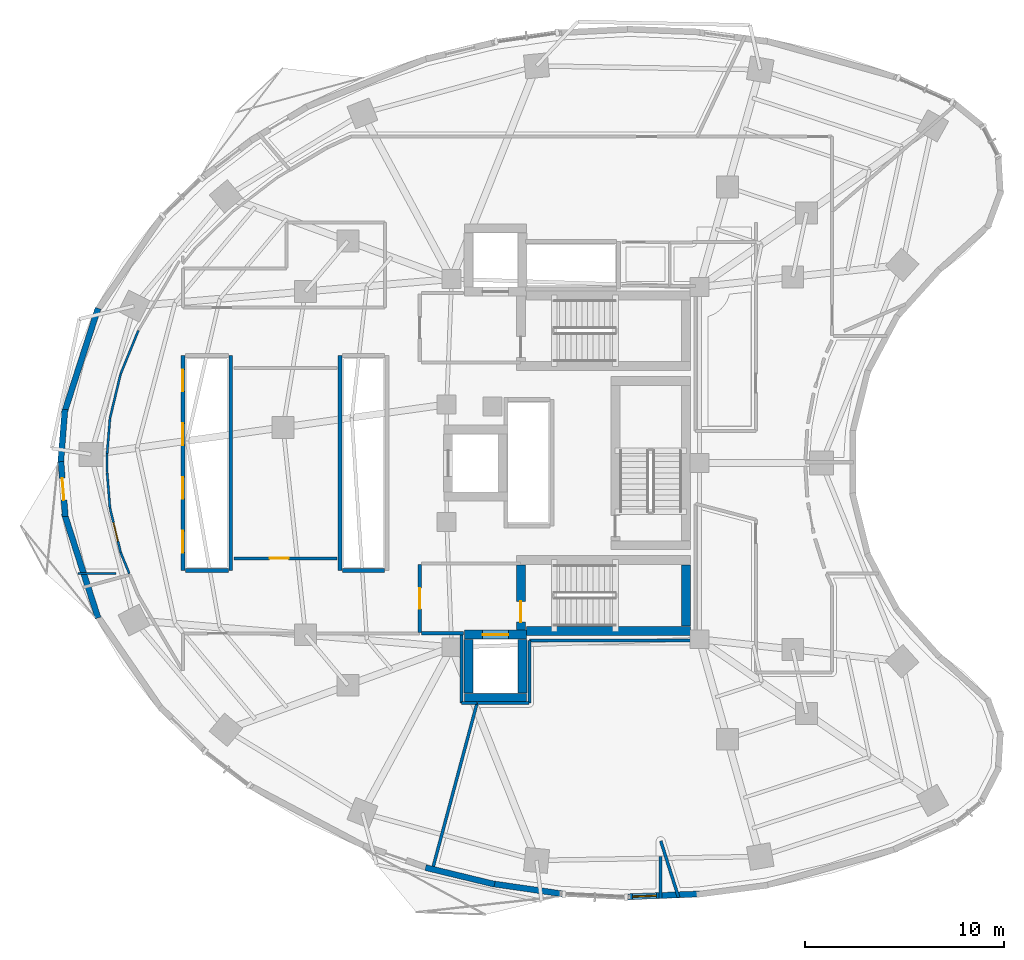
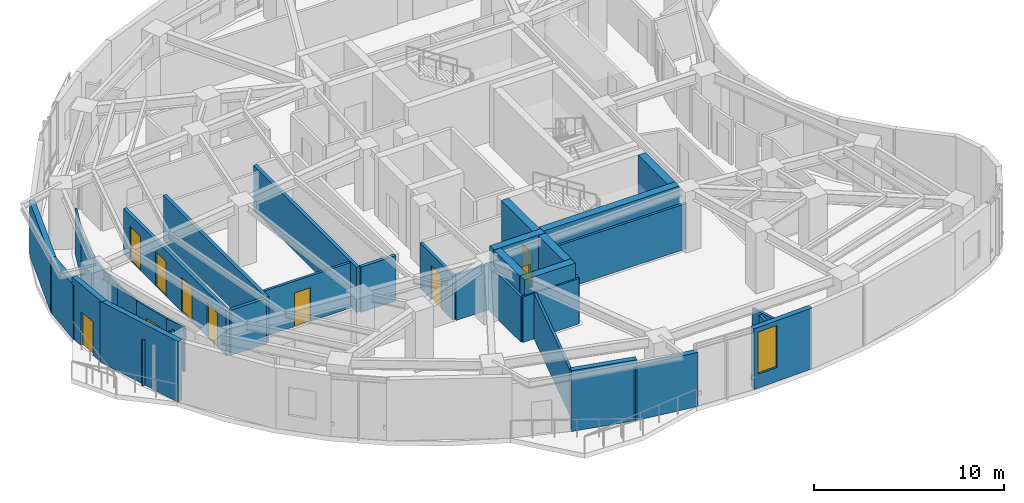
# One storey, part 7 of 13: 38 walls, 10 doors, 1 window, 11 openings.
"""IFC4 building model written with IfcOpenShell, lengths in metres."""

from ifc_helpers import new_model, si_unit, direction, frame, frame_2d, origin, place, context, subcontext, project, spatial, rectangle, extrude, material, layer, layer_set, type_object, element, fill, save


model = new_model("IFC4")

# Units and contexts
model_context = context("Model", 3, precision=1e-05, world=origin(), true_north=direction((0.0, 1.0)))
body_context = subcontext(model_context, "Body", "Model", "MODEL_VIEW")
ifc_project = project(units=[si_unit("LENGTHUNIT", "METRE"), si_unit("AREAUNIT", "SQUARE_METRE"), si_unit("VOLUMEUNIT", "CUBIC_METRE"), si_unit("PLANEANGLEUNIT", "RADIAN"), si_unit("MASSUNIT", "GRAM", prefix="KILO")], contexts=[model_context])

# Site, building, storey
site_placement = place(None, origin())
site = spatial("IfcSite", under=ifc_project, at=site_placement, CompositionType="ELEMENT")
building_placement = place(site_placement, origin())
building = spatial("IfcBuilding", under=site, at=building_placement, Name="Korentha Bioscience Tower", CompositionType="ELEMENT")
storey_placement = place(building_placement, frame((0.0, 0.0, 106.800048828125)))
storey = spatial("IfcBuildingStorey", under=building, at=storey_placement, Name="L24", CompositionType="ELEMENT", Elevation=106.800048828125)

# Wall, opening, door
ifc_material_1 = material(Name="Double-Stud Acoustic Gypsum", Category="gypsum")
ifc_layer_1 = layer(ifc_material_1, 0.14990234375, Name="Double-Stud Acoustic Gypsum")
ifc_layer_set_1 = layer_set([ifc_layer_1], Name="Double-Stud Acoustic Gypsum (IW-L150)")
wall_type_1 = type_object("IfcWallType", Name="Acoustic Laboratory Partition Wall 150", PredefinedType="PARTITIONING", material=ifc_layer_set_1)
wall_1_placement = place(storey_placement, frame((19.340087890625, 22.2099609375, 0.0), z_axis=(0.0, 0.0, 1.0), x_axis=(-1.0, 0.0, 0.0)))
wall_1 = element("IfcWall", 1, at=wall_1_placement, inside=storey, type_object=wall_type_1, Name="L24 Peer-Review Conference Room 11 Entrance Wall", PredefinedType="PARTITIONING", context=body_context, shape_type="SweptSolid", body=[
    extrude(rectangle(XDim=5.18017578125, YDim=0.14990234375, at=frame_2d((2.590087890625, 0.0))), origin(), (0.0, 0.0, 1.0), 2.909912109375),
])
opening_1_placement = place(wall_1_placement, frame((2.430908203125, 0.0, 0.0)))
opening_1 = element("IfcOpeningElement", 2, at=opening_1_placement, cuts=wall_1, Name="Opening ID-10R", PredefinedType="OPENING", context=body_context, shape_type="SweptSolid", body=[
    extrude(rectangle(XDim=0.949951171875, YDim=2.14990234375, at=frame_2d((0.47509765625, 1.074951171875))), frame((0.0, 0.08984375, 0.0), z_axis=(0.0, -1.0, 0.0), x_axis=(1.0, 0.0, 0.0)), (0.0, 0.0, 1.0), 0.1796875),
])
ifc_material_2 = material(Name="Phenolic Laminate Timber Core", Category="wood")
door_type_1 = type_object("IfcDoorType", Name="Laboratory Single Leaf Door 950x2150 Right", OperationType="SINGLE_SWING_RIGHT", PredefinedType="DOOR", material=ifc_material_2)
door_1_placement = place(opening_1_placement, origin())
door_1 = element("IfcDoor", 3, at=door_1_placement, inside=storey, type_object=door_type_1, Name="L24 Peer-Review Conference Room 11 Door", OperationType="SINGLE_SWING_RIGHT", OverallHeight=2.14990234375, OverallWidth=0.949951171875, PredefinedType="DOOR", context=body_context, shape_type="SweptSolid", body=[
    extrude(rectangle(XDim=0.949951171875, YDim=2.14990234375, at=frame_2d((0.47509765625, 1.074951171875))), frame((0.0, 0.02490234375, 0.0), z_axis=(0.0, -1.0, 0.0), x_axis=(1.0, 0.0, 0.0)), (0.0, 0.0, 1.0), 0.050048828125),
])
fill(opening_1, door_1)

# Walls
wall_2_placement = place(storey_placement, frame((25.60009765625, 18.43603515625, 0.0), z_axis=(0.0, 0.0, 1.0), x_axis=(0.0, -1.0, 0.0)))
element("IfcWall", 4, at=wall_2_placement, inside=storey, type_object=wall_type_1, Name="L24 Interior Partition 019", PredefinedType="PARTITIONING", context=body_context, shape_type="SweptSolid", body=[
    extrude(rectangle(XDim=3.48193359375, YDim=0.14990234375, at=frame_2d((1.740966796875, 0.0))), origin(), (0.0, 0.0, 1.0), 2.909912109375),
])
wall_3_placement = place(storey_placement, frame((25.60400390625, 14.949951171875, 0.0), z_axis=(0.0, 0.0, 1.0), x_axis=(1.0, 0.0, 0.0)))
element("IfcWall", 5, at=wall_3_placement, inside=storey, type_object=wall_type_1, Name="L24 Interior Partition 020", PredefinedType="PARTITIONING", context=body_context, shape_type="SweptSolid", body=[
    extrude(rectangle(XDim=0.772705078125, YDim=0.14990234375, at=frame_2d((0.38623046875, 0.0))), origin(), (0.0, 0.0, 1.0), 2.909912109375),
])
wall_4_placement = place(storey_placement, frame((26.376708984375, 14.949951171875, 0.0), z_axis=(0.0, 0.0, 1.0), x_axis=(-0.258811225067, -0.965927921627, 0.0)))
element("IfcWall", 6, at=wall_4_placement, inside=storey, type_object=wall_type_1, Name="L24 Interior Partition 021", PredefinedType="PARTITIONING", context=body_context, shape_type="SweptSolid", body=[
    extrude(rectangle(XDim=8.77001953125, YDim=0.14990234375, at=frame_2d((4.385009765625, 0.0))), origin(), (0.0, 0.0, 1.0), 2.909912109375),
])
wall_5_placement = place(storey_placement, frame((29.0, 14.9541015625, 0.0), z_axis=(0.0, 0.0, 1.0), x_axis=(0.0, 1.0, 0.0)))
element("IfcWall", 7, at=wall_5_placement, inside=storey, type_object=wall_type_1, Name="L24 Interior Partition 022", PredefinedType="PARTITIONING", context=body_context, shape_type="SweptSolid", body=[
    extrude(rectangle(XDim=3.135986328125, YDim=0.14990234375, at=frame_2d((1.56787109375, 0.0))), origin(), (0.0, 0.0, 1.0), 2.909912109375),
])
wall_6_placement = place(storey_placement, frame((29.0, 18.090087890625, 0.0), z_axis=(0.0, 0.0, 1.0), x_axis=(1.0, 0.0, 0.0)))
element("IfcWall", 8, at=wall_6_placement, inside=storey, type_object=wall_type_1, Name="L24 Interior Partition 023", PredefinedType="PARTITIONING", context=body_context, shape_type="SweptSolid", body=[
    extrude(rectangle(XDim=8.35009765625, YDim=0.14990234375, at=frame_2d((4.175048828125, 0.0))), origin(), (0.0, 0.0, 1.0), 2.909912109375),
])
wall_7_placement = place(storey_placement, frame((36.50146484375, 5.1806640625, 0.0), z_axis=(0.0, 0.0, 1.0), x_axis=(-0.301237459414, 0.953549156072, 0.0)))
element("IfcWall", 9, at=wall_7_placement, inside=storey, type_object=wall_type_1, Name="L24 Interior Partition 030", PredefinedType="PARTITIONING", context=body_context, shape_type="SweptSolid", body=[
    extrude(rectangle(XDim=2.9736328125, YDim=0.14990234375, at=frame_2d((1.48681640625, 0.0))), origin(), (0.0, 0.0, 1.0), 2.909912109375),
])
wall_8_placement = place(storey_placement, frame((35.597900390625, 7.243896484375, 0.0), z_axis=(0.0, 0.0, 1.0), x_axis=(0.0, -1.0, 0.0)))
element("IfcWall", 10, at=wall_8_placement, inside=storey, type_object=wall_type_1, Name="L24 Interior Partition 031", PredefinedType="PARTITIONING", context=body_context, shape_type="SweptSolid", body=[
    extrude(rectangle(XDim=2.108642578125, YDim=0.14990234375, at=frame_2d((1.05419921875, 0.0))), origin(), (0.0, 0.0, 1.0), 2.909912109375),
])
wall_9_placement = place(storey_placement, frame((26.38671875, 14.949951171875, 0.0), z_axis=(0.0, 0.0, 1.0), x_axis=(1.0, 0.0, 0.0)))
element("IfcWall", 11, at=wall_9_placement, inside=storey, type_object=wall_type_1, Name="L24 Interior Partition 032", PredefinedType="PARTITIONING", context=body_context, shape_type="SweptSolid", body=[
    extrude(rectangle(XDim=2.609130859375, YDim=0.14990234375, at=frame_2d((1.3046875, 0.0))), origin(), (0.0, 0.0, 1.0), 2.909912109375),
])

# Wall, opening, door
ifc_material_3 = material(Name="Fire-Rated Framed Glass", Category="glass")
ifc_layer_2 = layer(ifc_material_3, 0.110107421875, Name="Fire-Rated Framed Glass")
ifc_layer_set_2 = layer_set([ifc_layer_2], Name="Fire-Rated Framed Glass (IW-G110)")
wall_type_2 = type_object("IfcWallType", Name="Demountable Glazed Office Partition 110", PredefinedType="MOVABLE", material=ifc_layer_set_2)
wall_10_placement = place(storey_placement, frame((7.930419921875, 24.749267578125, 0.0), z_axis=(0.0, 0.0, 1.0), x_axis=(0.233675196412, -0.972314713754, 0.0)))
wall_10 = element("IfcWall", 12, at=wall_10_placement, inside=storey, type_object=wall_type_2, Name="L24 Postdoctoral Fellows' Quiet Study 10 Entrance Wall", PredefinedType="MOVABLE", context=body_context, shape_type="SweptSolid", body=[
    extrude(rectangle(XDim=2.291259765625, YDim=0.110107421875, at=frame_2d((1.1455078125, 0.0))), origin(), (0.0, 0.0, 1.0), 2.909912109375),
])
opening_2_placement = place(wall_10_placement, frame((0.760498046875, 0.0, 0.0)))
opening_2 = element("IfcOpeningElement", 13, at=opening_2_placement, cuts=wall_10, Name="Opening ID-10L", PredefinedType="OPENING", context=body_context, shape_type="SweptSolid", body=[
    extrude(rectangle(XDim=0.949951171875, YDim=2.14990234375, at=frame_2d((0.47509765625, 1.074951171875))), frame((0.0, 0.06982421875, 0.0), z_axis=(0.0, -1.0, 0.0), x_axis=(1.0, 0.0, 0.0)), (0.0, 0.0, 1.0), 0.139892578125),
])
door_type_2 = type_object("IfcDoorType", Name="Laboratory Single Leaf Door 950x2150 Left", OperationType="SINGLE_SWING_LEFT", PredefinedType="DOOR", material=ifc_material_2)
door_2_placement = place(opening_2_placement, origin())
door_2 = element("IfcDoor", 14, at=door_2_placement, inside=storey, type_object=door_type_2, Name="L24 Postdoctoral Fellows' Quiet Study 10 Door", OperationType="SINGLE_SWING_LEFT", OverallHeight=2.14990234375, OverallWidth=0.949951171875, PredefinedType="DOOR", context=body_context, shape_type="SweptSolid", body=[
    extrude(rectangle(XDim=0.949951171875, YDim=2.14990234375, at=frame_2d((0.47509765625, 1.074951171875))), frame((0.0, 0.02490234375, 0.0), z_axis=(0.0, -1.0, 0.0), x_axis=(1.0, 0.0, 0.0)), (0.0, 0.0, 1.0), 0.050048828125),
])
fill(opening_2, door_2)

# Walls
wall_11_placement = place(storey_placement, frame((9.3583984375, 33.66259765625, 0.0), z_axis=(0.0, 0.0, 1.0), x_axis=(-0.378306283753, -0.925680482495, 0.0)))
element("IfcWall", 15, at=wall_11_placement, inside=storey, type_object=wall_type_2, Name="L24 Interior Partition 064", PredefinedType="MOVABLE", context=body_context, shape_type="SweptSolid", body=[
    extrude(rectangle(XDim=2.358154296875, YDim=0.110107421875, at=frame_2d((1.17919921875, 0.0))), origin(), (0.0, 0.0, 1.0), 2.909912109375),
])
wall_12_placement = place(storey_placement, frame((8.4658203125, 31.478515625, 0.0), z_axis=(0.0, 0.0, 1.0), x_axis=(-0.233675196412, -0.972314713754, 0.0)))
element("IfcWall", 16, at=wall_12_placement, inside=storey, type_object=wall_type_2, Name="L24 Interior Partition 065", PredefinedType="MOVABLE", context=body_context, shape_type="SweptSolid", body=[
    extrude(rectangle(XDim=2.291259765625, YDim=0.110107421875, at=frame_2d((1.1455078125, 0.0))), origin(), (0.0, 0.0, 1.0), 2.909912109375),
])
wall_13_placement = place(storey_placement, frame((7.93017578125, 29.249267578125, 0.0), z_axis=(0.0, 0.0, 1.0), x_axis=(-0.079131522864, -0.996864184375, 0.0)))
element("IfcWall", 17, at=wall_13_placement, inside=storey, type_object=wall_type_2, Name="L24 Interior Partition 066", PredefinedType="MOVABLE", context=body_context, shape_type="SweptSolid", body=[
    extrude(rectangle(XDim=1.77099609375, YDim=0.110107421875, at=frame_2d((0.885498046875, 0.0))), origin(), (0.0, 0.0, 1.0), 2.909912109375),
])
wall_14_placement = place(storey_placement, frame((7.7900390625, 27.48291015625, 0.0), z_axis=(0.0, 0.0, 1.0), x_axis=(0.0, -1.0, 0.0)))
element("IfcWall", 18, at=wall_14_placement, inside=storey, type_object=wall_type_2, Name="L24 Interior Partition 067", PredefinedType="MOVABLE", context=body_context, shape_type="SweptSolid", body=[
    extrude(rectangle(XDim=0.9658203125, YDim=0.110107421875, at=frame_2d((0.48291015625, 0.0))), origin(), (0.0, 0.0, 1.0), 2.909912109375),
])
wall_15_placement = place(storey_placement, frame((7.7900390625, 26.51611328125, 0.0), z_axis=(0.0, 0.0, 1.0), x_axis=(0.079131522864, -0.996864184375, 0.0)))
element("IfcWall", 19, at=wall_15_placement, inside=storey, type_object=wall_type_2, Name="L24 Interior Partition 068", PredefinedType="MOVABLE", context=body_context, shape_type="SweptSolid", body=[
    extrude(rectangle(XDim=1.77099609375, YDim=0.110107421875, at=frame_2d((0.885498046875, 0.0))), origin(), (0.0, 0.0, 1.0), 2.909912109375),
])
wall_16_placement = place(storey_placement, frame((8.46630859375, 22.520263671875, 0.0), z_axis=(0.0, 0.0, 1.0), x_axis=(0.378237433206, -0.925708617288, 0.0)))
element("IfcWall", 20, at=wall_16_placement, inside=storey, type_object=wall_type_2, Name="L24 Interior Partition 069", PredefinedType="MOVABLE", context=body_context, shape_type="SweptSolid", body=[
    extrude(rectangle(XDim=1.154052734375, YDim=0.110107421875, at=frame_2d((0.5771484375, 0.0))), origin(), (0.0, 0.0, 1.0), 2.909912109375),
])
wall_17_placement = place(storey_placement, frame((8.23779296875, 21.451904296875, 0.0), z_axis=(0.0, 0.0, 1.0), x_axis=(-1.0, 0.0, 0.0)))
element("IfcWall", 21, at=wall_17_placement, inside=storey, type_object=wall_type_2, Name="L24 Interior Partition 070", PredefinedType="MOVABLE", context=body_context, shape_type="SweptSolid", body=[
    extrude(rectangle(XDim=1.916748046875, YDim=0.110107421875, at=frame_2d((0.95849609375, 0.0))), origin(), (0.0, 0.0, 1.0), 2.909912109375),
])

# Wall, opening, door
ifc_material_4 = material(Name="Gypsum-Clad Steel Stud", Category="steel")
ifc_layer_3 = layer(ifc_material_4, 0.159912109375, Name="Gypsum-Clad Steel Stud")
ifc_layer_set_3 = layer_set([ifc_layer_3], Name="Gypsum-Clad Steel Stud (IW-C160)")
wall_type_3 = type_object("IfcWallType", Name="Fire-Rated Corridor Partition Wall 160", PredefinedType="PARTITIONING", material=ifc_layer_set_3)
wall_18_placement = place(storey_placement, frame((23.5, 18.5, 0.0), z_axis=(0.0, 0.0, 1.0), x_axis=(0.0, 1.0, 0.0)))
wall_18 = element("IfcWall", 22, at=wall_18_placement, inside=storey, type_object=wall_type_3, Name="L24 FFLS-CW Rated Enclosure Wall", PredefinedType="PARTITIONING", context=body_context, shape_type="SweptSolid", body=[
    extrude(rectangle(XDim=3.39990234375, YDim=0.159912109375, at=frame_2d((1.699951171875, 0.0))), origin(), (0.0, 0.0, 1.0), 2.909912109375),
])
opening_3_placement = place(wall_18_placement, frame((1.175048828125, 0.0, 0.0)))
opening_3 = element("IfcOpeningElement", 23, at=opening_3_placement, cuts=wall_18, Name="Opening FD-90L", PredefinedType="OPENING", context=body_context, shape_type="SweptSolid", body=[
    extrude(rectangle(XDim=1.050048828125, YDim=2.14990234375, at=frame_2d((0.52490234375, 1.074951171875))), frame((0.0, 0.0947265625, 0.0), z_axis=(0.0, -1.0, 0.0), x_axis=(1.0, 0.0, 0.0)), (0.0, 0.0, 1.0), 0.189697265625),
])
ifc_material_5 = material(Name="Powder-Coated Fire-Rated Steel", Category="steel")
door_type_3 = type_object("IfcDoorType", Name="Stairwell Fire Exit Door 1050x2150 Left", OperationType="SINGLE_SWING_LEFT", PredefinedType="DOOR", material=ifc_material_5)
door_3_placement = place(opening_3_placement, origin())
door_3 = element("IfcDoor", 24, at=door_3_placement, inside=storey, type_object=door_type_3, Name="L24 South Firefighting Lobby Door", OperationType="SINGLE_SWING_LEFT", OverallHeight=2.14990234375, OverallWidth=1.050048828125, PredefinedType="DOOR", context=body_context, shape_type="SweptSolid", body=[
    extrude(rectangle(XDim=1.050048828125, YDim=2.14990234375, at=frame_2d((0.52490234375, 1.074951171875))), frame((0.0, 0.02490234375, 0.0), z_axis=(0.0, -1.0, 0.0), x_axis=(1.0, 0.0, 0.0)), (0.0, 0.0, 1.0), 0.050048828125),
])
fill(opening_3, door_3)

# Wall
wall_19_placement = place(storey_placement, frame((23.580078125, 18.449951171875, 0.0), z_axis=(0.0, 0.0, 1.0), x_axis=(1.0, 0.0, 0.0)))
element("IfcWall", 25, at=wall_19_placement, inside=storey, type_object=wall_type_3, Name="L24 Firefighting Lobby Return Wall FFLS-S", PredefinedType="PARTITIONING", context=body_context, shape_type="SweptSolid", body=[
    extrude(rectangle(XDim=2.119873046875, YDim=0.159912109375, at=frame_2d((1.06005859375, 0.0))), origin(), (0.0, 0.0, 1.0), 2.909912109375),
])

# Wall, opening, door
ifc_material_6 = material(Name="Honed Limestone Precast Concrete C40", Category="masonry")
ifc_layer_4 = layer(ifc_material_6, 0.300048828125, Name="Honed Limestone Precast Concrete C40")
ifc_layer_set_4 = layer_set([ifc_layer_4], Name="Honed Limestone Precast Concrete C40 (EW-ST300)")
wall_type_4 = type_object("IfcWallType", Name="Honed Limestone Cavity Spandrel Wall 300", PredefinedType="STANDARD", material=ifc_layer_set_4)
wall_20_placement = place(storey_placement, frame((5.46875, 27.072509765625, 0.0), z_axis=(0.0, 0.0, 1.0), x_axis=(0.079056321743, -0.996870151019, 0.0)))
wall_20 = element("IfcWall", 26, at=wall_20_placement, inside=storey, type_object=wall_type_4, Name="L24 Balcony Threshold Wall 02", PredefinedType="STANDARD", context=body_context, shape_type="SweptSolid", body=[
    extrude(rectangle(XDim=2.7607421875, YDim=0.300048828125, at=frame_2d((1.38037109375, 0.0))), origin(), (0.0, 0.0, 1.0), 3.89990234375),
])
opening_4_placement = place(wall_20_placement, frame((0.830322265625, 0.0, 0.0)))
opening_4 = element("IfcOpeningElement", 27, at=opening_4_placement, cuts=wall_20, Name="Opening BD-11R", PredefinedType="OPENING", context=body_context, shape_type="SweptSolid", body=[
    extrude(rectangle(XDim=1.10009765625, YDim=2.14990234375, at=frame_2d((0.550048828125, 1.074951171875))), frame((0.0, 0.1650390625, 0.0), z_axis=(0.0, -1.0, 0.0), x_axis=(1.0, 0.0, 0.0)), (0.0, 0.0, 1.0), 0.329833984375),
])
ifc_material_7 = material(Name="Thermally Broken Glazed Aluminium", Category="aluminium")
door_type_4 = type_object("IfcDoorType", Name="Balcony Terrace Glazed Door 1100x2150 Right", OperationType="SINGLE_SWING_RIGHT", PredefinedType="DOOR", material=ifc_material_7)
door_4_placement = place(opening_4_placement, origin())
door_4 = element("IfcDoor", 28, at=door_4_placement, inside=storey, type_object=door_type_4, Name="L24 Balcony Access Door 02", OperationType="SINGLE_SWING_RIGHT", OverallHeight=2.14990234375, OverallWidth=1.10009765625, PredefinedType="DOOR", context=body_context, shape_type="SweptSolid", body=[
    extrude(rectangle(XDim=1.10009765625, YDim=2.14990234375, at=frame_2d((0.550048828125, 1.074951171875))), frame((0.0, 0.02490234375, 0.0), z_axis=(0.0, -1.0, 0.0), x_axis=(1.0, 0.0, 0.0)), (0.0, 0.0, 1.0), 0.050048828125),
])
fill(opening_4, door_4)

# Wall, opening, window
wall_21_placement = place(storey_placement, frame((33.961181640625, 5.210205078125, 0.0), z_axis=(0.0, 0.0, 1.0), x_axis=(0.999210691503, 0.039723972445, 0.0)))
wall_21 = element("IfcWall", 29, at=wall_21_placement, inside=storey, type_object=wall_type_4, Name="L24 Honed Limestone Spandrel Wall 32", PredefinedType="STANDARD", context=body_context, shape_type="SweptSolid", body=[
    extrude(rectangle(XDim=3.595458984375, YDim=0.300048828125, at=frame_2d((1.7978515625, 0.0))), origin(), (0.0, 0.0, 1.0), 3.89990234375),
])
opening_5_placement = place(wall_21_placement, frame((0.227783203125, 0.0, 0.89990234375)))
opening_5 = element("IfcOpeningElement", 30, at=opening_5_placement, cuts=wall_21, Name="Opening WN-03", PredefinedType="OPENING", context=body_context, shape_type="SweptSolid", body=[
    extrude(rectangle(XDim=1.199951171875, YDim=2.699951171875, at=frame_2d((0.60009765625, 1.35009765625))), frame((0.0, 0.1650390625, 0.0), z_axis=(0.0, -1.0, 0.0), x_axis=(1.0, 0.0, 0.0)), (0.0, 0.0, 1.0), 0.329833984375),
])
ifc_material_8 = material(Name="Thermally Broken Aluminium Triple Glazing", Category="aluminium")
window_type = type_object("IfcWindowType", Name="Theatre Foyer Tall Ribbon Window 1200x2700", PartitioningType="SINGLE_PANEL", PredefinedType="WINDOW", material=ifc_material_8)
window_placement = place(opening_5_placement, origin())
window = element("IfcWindow", 31, at=window_placement, inside=storey, type_object=window_type, Name="L24 Facade Window 32", OverallHeight=2.699951171875, OverallWidth=1.199951171875, PartitioningType="SINGLE_PANEL", PredefinedType="WINDOW", context=body_context, shape_type="SweptSolid", body=[
    extrude(rectangle(XDim=1.199951171875, YDim=2.699951171875, at=frame_2d((0.60009765625, 1.35009765625))), frame((0.0, 0.030029296875, 0.0), z_axis=(0.0, -1.0, 0.0), x_axis=(1.0, 0.0, 0.0)), (0.0, 0.0, 1.0), 0.06005859375),
])
fill(opening_5, window)

# Walls
wall_22_placement = place(storey_placement, frame((7.333984375, 34.779296875, 0.0), z_axis=(0.0, 0.0, 1.0), x_axis=(-0.307599470659, -0.951515930319, 0.0)))
element("IfcWall", 32, at=wall_22_placement, inside=storey, type_object=wall_type_4, Name="L24 Limestone Perimeter Closure Wall 16", PredefinedType="STANDARD", context=body_context, shape_type="SweptSolid", body=[
    extrude(rectangle(XDim=5.534423828125, YDim=0.300048828125, at=frame_2d((2.76708984375, 0.0))), origin(), (0.0, 0.0, 1.0), 3.469970703125),
])
wall_23_placement = place(storey_placement, frame((5.668701171875, 29.701171875, 0.0), z_axis=(0.0, 0.0, 1.0), x_axis=(-0.079062676622, -0.996869647028, 0.0)))
element("IfcWall", 33, at=wall_23_placement, inside=storey, type_object=wall_type_4, Name="L24 Limestone Perimeter Closure Wall 18", PredefinedType="STANDARD", context=body_context, shape_type="SweptSolid", body=[
    extrude(rectangle(XDim=2.80078125, YDim=0.300048828125, at=frame_2d((1.400390625, 0.0))), origin(), (0.0, 0.0, 1.0), 3.469970703125),
])
wall_24_placement = place(storey_placement, frame((5.631591796875, 24.48681640625, 0.0), z_axis=(0.0, 0.0, 1.0), x_axis=(0.307599470659, -0.951515930319, 0.0)))
element("IfcWall", 34, at=wall_24_placement, inside=storey, type_object=wall_type_4, Name="L24 Limestone Perimeter Closure Wall 20", PredefinedType="STANDARD", context=body_context, shape_type="SweptSolid", body=[
    extrude(rectangle(XDim=5.534423828125, YDim=0.300048828125, at=frame_2d((2.76708984375, 0.0))), origin(), (0.0, 0.0, 1.0), 3.89990234375),
])
wall_25_placement = place(storey_placement, frame((23.7841796875, 6.679931640625, 0.0), z_axis=(0.0, 0.0, 1.0), x_axis=(0.972043452321, -0.234801036625, 0.0)))
element("IfcWall", 35, at=wall_25_placement, inside=storey, type_object=wall_type_4, Name="L24 Limestone Perimeter Closure Wall 29", PredefinedType="STANDARD", context=body_context, shape_type="SweptSolid", body=[
    extrude(rectangle(XDim=3.568603515625, YDim=0.300048828125, at=frame_2d((1.7841796875, 0.0))), origin(), (0.0, 0.0, 1.0), 3.89990234375),
])
wall_26_placement = place(storey_placement, frame((27.083251953125, 5.874755859375, 0.0), z_axis=(0.0, 0.0, 1.0), x_axis=(0.989734732902, -0.142916613754, 0.0)))
element("IfcWall", 36, at=wall_26_placement, inside=storey, type_object=wall_type_4, Name="L24 Limestone Perimeter Closure Wall 30", PredefinedType="STANDARD", context=body_context, shape_type="SweptSolid", body=[
    extrude(rectangle(XDim=3.611328125, YDim=0.300048828125, at=frame_2d((1.8056640625, 0.0))), origin(), (0.0, 0.0, 1.0), 3.469970703125),
])

# Wall, openings, doors
ifc_material_9 = material(Name="Autoclaved Aerated Concrete Block C25", Category="concrete")
ifc_layer_5 = layer(ifc_material_9, 0.199951171875, Name="Autoclaved Aerated Concrete Block C25")
ifc_layer_set_5 = layer_set([ifc_layer_5], Name="Autoclaved Aerated Concrete Block C25 (IW-S200)")
wall_type_5 = type_object("IfcWallType", Name="Lift and Riser Shaft Enclosure Wall 200", PredefinedType="PARTITIONING", material=ifc_layer_set_5)
wall_27_placement = place(storey_placement, frame((11.60009765625, 21.60009765625, 0.0), z_axis=(0.0, 0.0, 1.0), x_axis=(0.0, 1.0, 0.0)))
wall_27 = element("IfcWall", 37, at=wall_27_placement, inside=storey, type_object=wall_type_5, Name="L24 Lift Bank LOW Shaft Wall -X", PredefinedType="PARTITIONING", context=body_context, shape_type="SweptSolid", body=[
    extrude(rectangle(XDim=10.7998046875, YDim=0.199951171875, at=frame_2d((5.39990234375, 0.0))), origin(), (0.0, 0.0, 1.0), 2.909912109375),
])
opening_6_placement = place(wall_27_placement, frame((0.89990234375, 0.0, 0.0)))
opening_6 = element("IfcOpeningElement", 38, at=opening_6_placement, cuts=wall_27, Name="Opening LD-11", PredefinedType="OPENING", context=body_context, shape_type="SweptSolid", body=[
    extrude(rectangle(XDim=1.10009765625, YDim=2.199951171875, at=frame_2d((0.550048828125, 1.10009765625))), frame((0.0, 0.11474609375, 0.0), z_axis=(0.0, -1.0, 0.0), x_axis=(1.0, 0.0, 0.0)), (0.0, 0.0, 1.0), 0.229736328125),
])
opening_7_placement = place(wall_27_placement, frame((3.60009765625, 0.0, 0.0)))
opening_7 = element("IfcOpeningElement", 39, at=opening_7_placement, cuts=wall_27, Name="Opening LD-11", PredefinedType="OPENING", context=body_context, shape_type="SweptSolid", body=[
    extrude(rectangle(XDim=1.10009765625, YDim=2.199951171875, at=frame_2d((0.550048828125, 1.10009765625))), frame((0.0, 0.11474609375, 0.0), z_axis=(0.0, -1.0, 0.0), x_axis=(1.0, 0.0, 0.0)), (0.0, 0.0, 1.0), 0.229736328125),
])
opening_8_placement = place(wall_27_placement, frame((6.300048828125, 0.0, 0.0)))
opening_8 = element("IfcOpeningElement", 40, at=opening_8_placement, cuts=wall_27, Name="Opening LD-11", PredefinedType="OPENING", context=body_context, shape_type="SweptSolid", body=[
    extrude(rectangle(XDim=1.10009765625, YDim=2.199951171875, at=frame_2d((0.550048828125, 1.10009765625))), frame((0.0, 0.11474609375, 0.0), z_axis=(0.0, -1.0, 0.0), x_axis=(1.0, 0.0, 0.0)), (0.0, 0.0, 1.0), 0.229736328125),
])
opening_9_placement = place(wall_27_placement, frame((9.0, 0.0, 0.0)))
opening_9 = element("IfcOpeningElement", 41, at=opening_9_placement, cuts=wall_27, Name="Opening LD-11", PredefinedType="OPENING", context=body_context, shape_type="SweptSolid", body=[
    extrude(rectangle(XDim=1.10009765625, YDim=2.199951171875, at=frame_2d((0.550048828125, 1.10009765625))), frame((0.0, 0.11474609375, 0.0), z_axis=(0.0, -1.0, 0.0), x_axis=(1.0, 0.0, 0.0)), (0.0, 0.0, 1.0), 0.229736328125),
])
ifc_material_10 = material(Name="Brushed Stainless Steel 304", Category="steel")
door_type_5 = type_object("IfcDoorType", Name="Passenger Lift Sliding Landing Door 1100x2200", OperationType="DOUBLE_DOOR_SLIDING", PredefinedType="DOOR", material=ifc_material_10)
door_5_placement = place(opening_6_placement, origin())
door_5 = element("IfcDoor", 42, at=door_5_placement, inside=storey, type_object=door_type_5, Name="L24 PL-L1 Sliding Lift Landing Door", OperationType="DOUBLE_DOOR_SLIDING", OverallHeight=2.199951171875, OverallWidth=1.10009765625, PredefinedType="DOOR", context=body_context, shape_type="SweptSolid", body=[
    extrude(rectangle(XDim=1.10009765625, YDim=2.199951171875, at=frame_2d((0.550048828125, 1.10009765625))), frame((0.0, 0.02490234375, 0.0), z_axis=(0.0, -1.0, 0.0), x_axis=(1.0, 0.0, 0.0)), (0.0, 0.0, 1.0), 0.050048828125),
])
fill(opening_6, door_5)
door_6_placement = place(opening_7_placement, origin())
door_6 = element("IfcDoor", 43, at=door_6_placement, inside=storey, type_object=door_type_5, Name="L24 PL-L2 Sliding Lift Landing Door", OperationType="DOUBLE_DOOR_SLIDING", OverallHeight=2.199951171875, OverallWidth=1.10009765625, PredefinedType="DOOR", context=body_context, shape_type="SweptSolid", body=[
    extrude(rectangle(XDim=1.10009765625, YDim=2.199951171875, at=frame_2d((0.550048828125, 1.10009765625))), frame((0.0, 0.02490234375, 0.0), z_axis=(0.0, -1.0, 0.0), x_axis=(1.0, 0.0, 0.0)), (0.0, 0.0, 1.0), 0.050048828125),
])
fill(opening_7, door_6)
door_7_placement = place(opening_8_placement, origin())
door_7 = element("IfcDoor", 44, at=door_7_placement, inside=storey, type_object=door_type_5, Name="L24 PL-L3 Sliding Lift Landing Door", OperationType="DOUBLE_DOOR_SLIDING", OverallHeight=2.199951171875, OverallWidth=1.10009765625, PredefinedType="DOOR", context=body_context, shape_type="SweptSolid", body=[
    extrude(rectangle(XDim=1.10009765625, YDim=2.199951171875, at=frame_2d((0.550048828125, 1.10009765625))), frame((0.0, 0.02490234375, 0.0), z_axis=(0.0, -1.0, 0.0), x_axis=(1.0, 0.0, 0.0)), (0.0, 0.0, 1.0), 0.050048828125),
])
fill(opening_8, door_7)
door_8_placement = place(opening_9_placement, origin())
door_8 = element("IfcDoor", 45, at=door_8_placement, inside=storey, type_object=door_type_5, Name="L24 PL-L4 Sliding Lift Landing Door", OperationType="DOUBLE_DOOR_SLIDING", OverallHeight=2.199951171875, OverallWidth=1.10009765625, PredefinedType="DOOR", context=body_context, shape_type="SweptSolid", body=[
    extrude(rectangle(XDim=1.10009765625, YDim=2.199951171875, at=frame_2d((0.550048828125, 1.10009765625))), frame((0.0, 0.02490234375, 0.0), z_axis=(0.0, -1.0, 0.0), x_axis=(1.0, 0.0, 0.0)), (0.0, 0.0, 1.0), 0.050048828125),
])
fill(opening_9, door_8)

# Walls
wall_28_placement = place(storey_placement, frame((14.0, 21.60009765625, 0.0), z_axis=(0.0, 0.0, 1.0), x_axis=(0.0, 1.0, 0.0)))
element("IfcWall", 46, at=wall_28_placement, inside=storey, type_object=wall_type_5, Name="L24 Lift Bank LOW Shaft Wall +X", PredefinedType="PARTITIONING", context=body_context, shape_type="SweptSolid", body=[
    extrude(rectangle(XDim=10.7998046875, YDim=0.199951171875, at=frame_2d((5.39990234375, 0.0))), origin(), (0.0, 0.0, 1.0), 2.909912109375),
])
wall_29_placement = place(storey_placement, frame((11.719970703125, 21.60009765625, 0.0), z_axis=(0.0, 0.0, 1.0), x_axis=(1.0, 0.0, 0.0)))
element("IfcWall", 47, at=wall_29_placement, inside=storey, type_object=wall_type_5, Name="L24 Lift Bank LOW Shaft Wall -Y", PredefinedType="PARTITIONING", context=body_context, shape_type="SweptSolid", body=[
    extrude(rectangle(XDim=2.159912109375, YDim=0.199951171875, at=frame_2d((1.080078125, 0.0))), origin(), (0.0, 0.0, 1.0), 2.909912109375),
])
wall_30_placement = place(storey_placement, frame((19.5, 21.60009765625, 0.0), z_axis=(0.0, 0.0, 1.0), x_axis=(0.0, 1.0, 0.0)))
element("IfcWall", 48, at=wall_30_placement, inside=storey, type_object=wall_type_5, Name="L24 Lift Bank MID Shaft Wall -X", PredefinedType="PARTITIONING", context=body_context, shape_type="SweptSolid", body=[
    extrude(rectangle(XDim=10.7998046875, YDim=0.199951171875, at=frame_2d((5.39990234375, 0.0))), origin(), (0.0, 0.0, 1.0), 2.909912109375),
])
wall_31_placement = place(storey_placement, frame((19.6201171875, 21.60009765625, 0.0), z_axis=(0.0, 0.0, 1.0), x_axis=(1.0, 0.0, 0.0)))
element("IfcWall", 49, at=wall_31_placement, inside=storey, type_object=wall_type_5, Name="L24 Lift Bank MID Shaft Wall -Y", PredefinedType="PARTITIONING", context=body_context, shape_type="SweptSolid", body=[
    extrude(rectangle(XDim=2.10986328125, YDim=0.199951171875, at=frame_2d((1.054931640625, 0.0))), origin(), (0.0, 0.0, 1.0), 2.909912109375),
])
ifc_material_11 = material(Name="Concrete C80", Category="concrete")
ifc_layer_6 = layer(ifc_material_11, 0.449951171875, Name="Concrete C80")
ifc_layer_set_6 = layer_set([ifc_layer_6], Name="Concrete C80 (CW-C80)")
wall_type_6 = type_object("IfcWallType", Name="Lower Core Shear Wall 450", PredefinedType="SHEAR", material=ifc_layer_set_6)
wall_32_placement = place(storey_placement, frame((28.85205078125, 18.574951171875, 0.0), z_axis=(0.0, 0.0, 1.0), x_axis=(1.0, 0.0, 0.0)))
element("IfcWall", 50, at=wall_32_placement, inside=storey, type_object=wall_type_6, Name="L24 Core Shear Wall ST2-S", PredefinedType="SHEAR", context=body_context, shape_type="SweptSolid", body=[
    extrude(rectangle(XDim=8.248046875, YDim=0.449951171875, at=frame_2d((4.1240234375, 0.0))), origin(), (0.0, 0.0, 1.0), 3.89990234375),
])
wall_33_placement = place(storey_placement, frame((36.875, 18.81005859375, 0.0), z_axis=(0.0, 0.0, 1.0), x_axis=(0.0, 1.0, 0.0)))
element("IfcWall", 51, at=wall_33_placement, inside=storey, type_object=wall_type_6, Name="L24 Core Shear Wall ST2-E", PredefinedType="SHEAR", context=body_context, shape_type="SweptSolid", body=[
    extrude(rectangle(XDim=3.079833984375, YDim=0.449951171875, at=frame_2d((1.5400390625, 0.0))), origin(), (0.0, 0.0, 1.0), 3.89990234375),
])

# Wall, opening, door
wall_34_placement = place(storey_placement, frame((28.574951171875, 18.60693359375, 0.0), z_axis=(0.0, 0.0, 1.0), x_axis=(0.0, 1.0, 0.0)))
wall_34 = element("IfcWall", 52, at=wall_34_placement, inside=storey, type_object=wall_type_6, Name="L24 Core Shear Wall ST2-W", PredefinedType="SHEAR", context=body_context, shape_type="SweptSolid", body=[
    extrude(rectangle(XDim=3.282958984375, YDim=0.449951171875, at=frame_2d((1.6416015625, 0.0))), origin(), (0.0, 0.0, 1.0), 3.89990234375),
])
opening_10_placement = place(wall_34_placement, frame((0.403076171875, 0.0, 0.0)))
opening_10 = element("IfcOpeningElement", 53, at=opening_10_placement, cuts=wall_34, Name="Opening FD-90L", PredefinedType="OPENING", context=body_context, shape_type="SweptSolid", body=[
    extrude(rectangle(XDim=1.050048828125, YDim=2.14990234375, at=frame_2d((0.52490234375, 1.074951171875))), frame((0.0, 0.23974609375, 0.0), z_axis=(0.0, -1.0, 0.0), x_axis=(1.0, 0.0, 0.0)), (0.0, 0.0, 1.0), 0.479736328125),
])
door_9_placement = place(opening_10_placement, origin())
door_9 = element("IfcDoor", 54, at=door_9_placement, inside=storey, type_object=door_type_3, Name="L24 ST-2 Fire Exit Stair Door", OperationType="SINGLE_SWING_LEFT", OverallHeight=2.14990234375, OverallWidth=1.050048828125, PredefinedType="DOOR", context=body_context, shape_type="SweptSolid", body=[
    extrude(rectangle(XDim=1.050048828125, YDim=2.14990234375, at=frame_2d((0.52490234375, 1.074951171875))), frame((0.0, 0.02490234375, 0.0), z_axis=(0.0, -1.0, 0.0), x_axis=(1.0, 0.0, 0.0)), (0.0, 0.0, 1.0), 0.050048828125),
])
fill(opening_10, door_9)

# Wall
wall_35_placement = place(storey_placement, frame((25.75, 15.199951171875, 0.0), z_axis=(0.0, 0.0, 1.0), x_axis=(1.0, 0.0, 0.0)))
element("IfcWall", 55, at=wall_35_placement, inside=storey, type_object=wall_type_6, Name="L24 Core Shear Wall FFL1-S", PredefinedType="SHEAR", context=body_context, shape_type="SweptSolid", body=[
    extrude(rectangle(XDim=3.10009765625, YDim=0.449951171875, at=frame_2d((1.550048828125, 0.0))), origin(), (0.0, 0.0, 1.0), 3.89990234375),
])

# Wall, opening, door
wall_36_placement = place(storey_placement, frame((25.75, 18.3798828125, 0.0), z_axis=(0.0, 0.0, 1.0), x_axis=(1.0, 0.0, 0.0)))
wall_36 = element("IfcWall", 56, at=wall_36_placement, inside=storey, type_object=wall_type_6, Name="L24 Core Shear Wall FFL1-N", PredefinedType="SHEAR", context=body_context, shape_type="SweptSolid", body=[
    extrude(rectangle(XDim=3.10009765625, YDim=0.449951171875, at=frame_2d((1.550048828125, 0.0))), origin(), (0.0, 0.0, 1.0), 3.89990234375),
])
opening_11_placement = place(wall_36_placement, frame((0.89990234375, 0.0, 0.0)))
opening_11 = element("IfcOpeningElement", 57, at=opening_11_placement, cuts=wall_36, Name="Opening LD-13", PredefinedType="OPENING", context=body_context, shape_type="SweptSolid", body=[
    extrude(rectangle(XDim=1.300048828125, YDim=2.199951171875, at=frame_2d((0.64990234375, 1.10009765625))), frame((0.0, 0.23974609375, 0.0), z_axis=(0.0, -1.0, 0.0), x_axis=(1.0, 0.0, 0.0)), (0.0, 0.0, 1.0), 0.479736328125),
])
ifc_material_12 = material(Name="Brushed Stainless Steel 316", Category="steel")
door_type_6 = type_object("IfcDoorType", Name="Service & Firefighting Lift Landing Door 1300x2300", OperationType="DOUBLE_DOOR_SLIDING", PredefinedType="DOOR", material=ifc_material_12)
door_10_placement = place(opening_11_placement, origin())
door_10 = element("IfcDoor", 58, at=door_10_placement, inside=storey, type_object=door_type_6, Name="L24 FFL-1 Sliding Lift Landing Door", OperationType="DOUBLE_DOOR_SLIDING", OverallHeight=2.199951171875, OverallWidth=1.300048828125, PredefinedType="DOOR", context=body_context, shape_type="SweptSolid", body=[
    extrude(rectangle(XDim=1.300048828125, YDim=2.199951171875, at=frame_2d((0.64990234375, 1.10009765625))), frame((0.0, 0.02490234375, 0.0), z_axis=(0.0, -1.0, 0.0), x_axis=(1.0, 0.0, 0.0)), (0.0, 0.0, 1.0), 0.050048828125),
])
fill(opening_11, door_10)

# Walls
for number, where, z_axis, x_axis, name in (
    (59, (25.949951171875, 15.43994140625, 0.0), (0.0, 0.0, 1.0), (0.0, 1.0, 0.0), "L24 Core Shear Wall FFL1-W"),
    (60, (28.64990234375, 15.43994140625, 0.0), (0.0, 0.0, 1.0), (0.0, 1.0, 0.0), "L24 Core Shear Wall FFL1-E"),
):
    element("IfcWall", number, at=place(storey_placement, frame(where, z_axis=z_axis, x_axis=x_axis)), inside=storey, type_object=wall_type_6, Name=name, PredefinedType="SHEAR", context=body_context, shape_type="SweptSolid", body=[
        extrude(rectangle(XDim=2.699951171875, YDim=0.449951171875, at=frame_2d((1.35009765625, 0.0))), origin(), (0.0, 0.0, 1.0), 3.89990234375),
    ])

save(model, "model.ifc")
